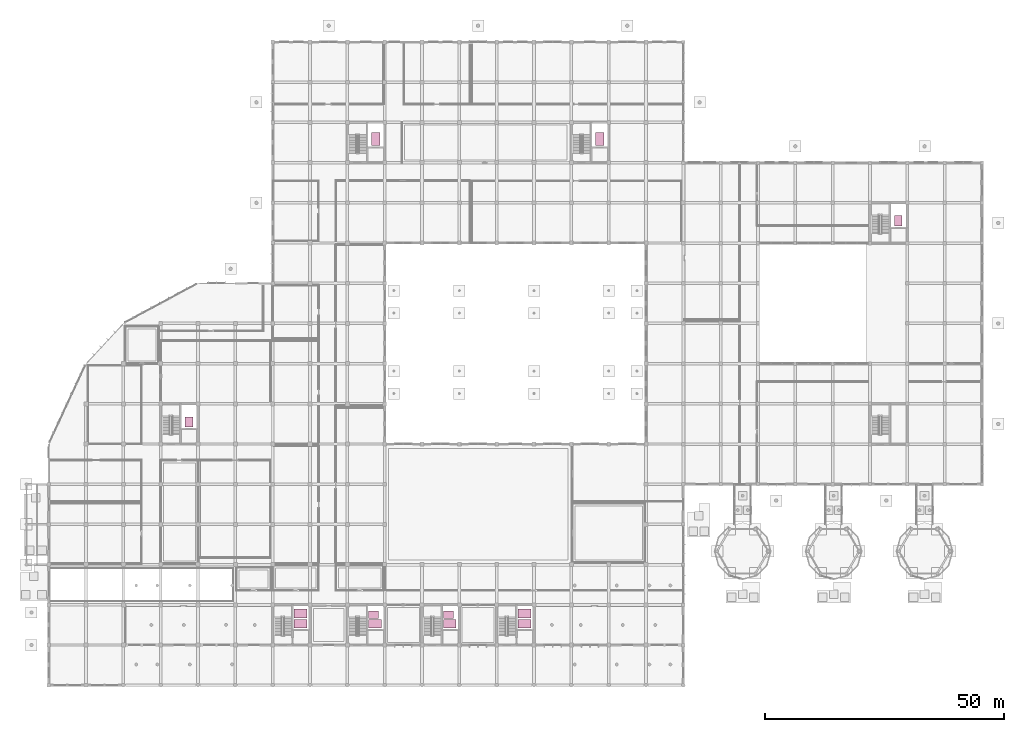
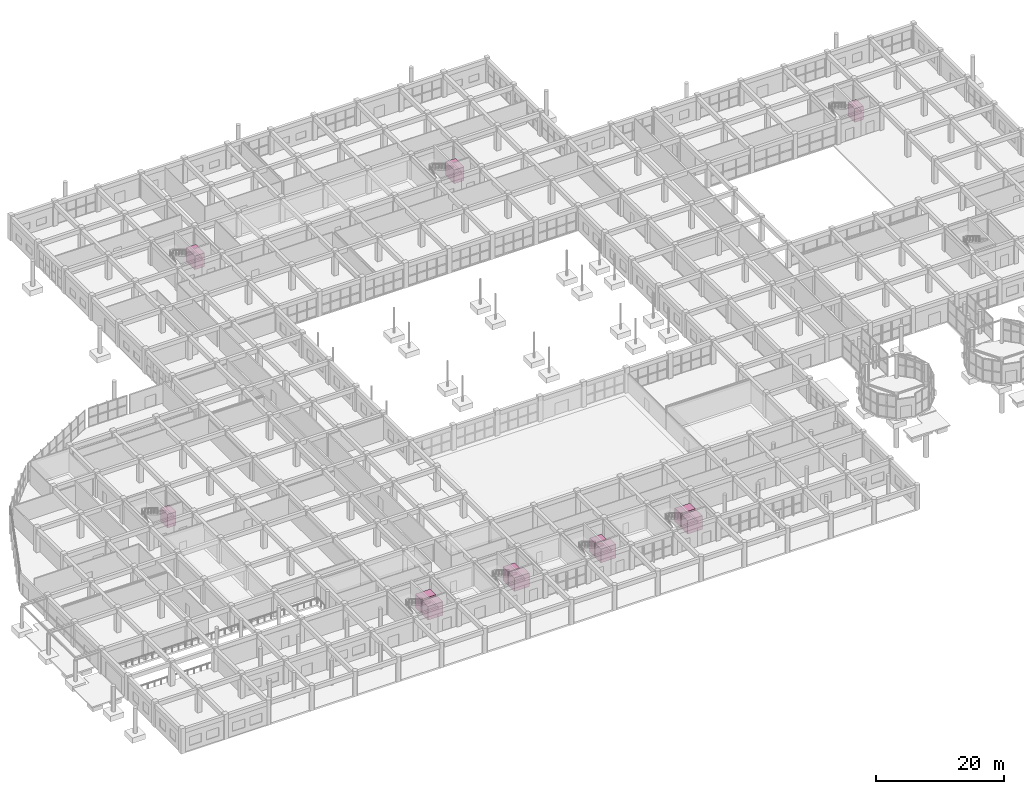
# One storey, part 139 of 139: 12 transport elements.
"""IFC4 building model written with IfcOpenShell, lengths in metres."""

from ifc_helpers import new_model, si_unit, direction, frame, origin, origin_2d, place, context, subcontext, project, spatial, rectangle, extrude, material, type_object, element, save


model = new_model("IFC4")

# Units and contexts
model_context = context("Model", 3, precision=1e-05, world=origin(), true_north=direction((0.0, 1.0)))
body_context = subcontext(model_context, "Body", "Model", "MODEL_VIEW")
ifc_project = project(units=[si_unit("LENGTHUNIT", "METRE"), si_unit("AREAUNIT", "SQUARE_METRE"), si_unit("VOLUMEUNIT", "CUBIC_METRE"), si_unit("PLANEANGLEUNIT", "RADIAN"), si_unit("MASSUNIT", "GRAM", prefix="KILO")], contexts=[model_context])

# Site, building, storey
site_placement = place(None, origin())
site = spatial("IfcSite", under=ifc_project, at=site_placement, CompositionType="ELEMENT")
building_placement = place(site_placement, origin())
building = spatial("IfcBuilding", under=site, at=building_placement, Name="Zizhar Promenade General Hospital", CompositionType="ELEMENT")
storey_placement = place(building_placement, origin())
storey = spatial("IfcBuildingStorey", under=building, at=storey_placement, Name="L00", CompositionType="ELEMENT", Elevation=0.0)

# Transport elements
ifc_material_1 = material(Name="Anodised aluminium 6063-T6", Category="aluminium")
transport_element_type_1 = type_object("IfcTransportElementType", Name="LFT-BED-1800x2700", PredefinedType="ELEVATOR", material=ifc_material_1)
for number, where, z_axis, x_axis, name in (
    (1, (52.60009765625, 15.0, 0.0), (0.0, 0.0, 1.0), (1.0, 0.0, 0.0), "Hospital Lift LB-01"),
    (2, (68.199951171875, 12.85009765625, 0.0), (0.0, 0.0, 1.0), (1.0, 0.0, 0.0), "Hospital Lift LB-02"),
    (3, (83.800048828125, 12.85009765625, 0.0), (0.0, 0.0, 1.0), (1.0, 0.0, 0.0), "Hospital Lift LB-03"),
    (4, (99.39990234375, 15.0, 0.0), (0.0, 0.0, 1.0), (1.0, 0.0, 0.0), "Hospital Lift LB-04"),
):
    element("IfcTransportElement", number, at=place(storey_placement, frame(where, z_axis=z_axis, x_axis=x_axis)), inside=storey, type_object=transport_element_type_1, Name=name, PredefinedType="ELEVATOR", context=body_context, shape_type="SweptSolid", body=[
        extrude(rectangle(XDim=2.699951171875, YDim=1.800048828125, at=origin_2d()), origin(), (0.0, 0.0, 1.0), 2.60009765625),
    ])
ifc_material_2 = material(Name="Anodised aluminium 6063-T6", Category="aluminium")
transport_element_type_2 = type_object("IfcTransportElementType", Name="LFT-FF-1800x2700", PredefinedType="ELEVATOR", material=ifc_material_2)
for number, where, z_axis, x_axis, name in (
    (5, (52.60009765625, 12.85009765625, 0.0), (0.0, 0.0, 1.0), (1.0, 0.0, 0.0), "Hospital Lift LF-01"),
    (6, (99.39990234375, 12.85009765625, 0.0), (0.0, 0.0, 1.0), (1.0, 0.0, 0.0), "Hospital Lift LF-02"),
):
    element("IfcTransportElement", number, at=place(storey_placement, frame(where, z_axis=z_axis, x_axis=x_axis)), inside=storey, type_object=transport_element_type_2, Name=name, PredefinedType="ELEVATOR", context=body_context, shape_type="SweptSolid", body=[
        extrude(rectangle(XDim=2.699951171875, YDim=1.800048828125, at=origin_2d()), origin(), (0.0, 0.0, 1.0), 2.60009765625),
    ])
ifc_material_3 = material(Name="Anodised aluminium 6063-T6", Category="aluminium")
transport_element_type_3 = type_object("IfcTransportElementType", Name="LFT-GDS-1800x2700", PredefinedType="ELEVATOR", material=ifc_material_3)
for number, where, z_axis, x_axis, name in (
    (7, (68.324951171875, 114.14990234375, 0.0), (0.0, 0.0, 1.0), (1.0, 0.0, 0.0), "Hospital Lift LG-01"),
    (8, (115.125, 114.14990234375, 0.0), (0.0, 0.0, 1.0), (1.0, 0.0, 0.0), "Hospital Lift LG-02"),
):
    element("IfcTransportElement", number, at=place(storey_placement, frame(where, z_axis=z_axis, x_axis=x_axis)), inside=storey, type_object=transport_element_type_3, Name=name, PredefinedType="ELEVATOR", context=body_context, shape_type="SweptSolid", body=[
        extrude(rectangle(XDim=1.800048828125, YDim=2.699951171875, at=origin_2d()), origin(), (0.0, 0.0, 1.0), 2.60009765625),
    ])
ifc_material_4 = material(Name="Anodised aluminium 6063-T6", Category="aluminium")
transport_element_type_4 = type_object("IfcTransportElementType", Name="LFT-PAX-1600x2100", PredefinedType="ELEVATOR", material=ifc_material_4)
transport_element_1_placement = place(storey_placement, frame((29.324951171875, 55.050048828125, 0.0), z_axis=(0.0, 0.0, 1.0), x_axis=(1.0, 0.0, 0.0)))
element("IfcTransportElement", 9, at=transport_element_1_placement, inside=storey, type_object=transport_element_type_4, Name="Hospital Lift LP-01", PredefinedType="ELEVATOR", context=body_context, shape_type="SweptSolid", body=[
    extrude(rectangle(XDim=1.60009765625, YDim=2.10009765625, at=origin_2d()), origin(), (0.0, 0.0, 1.0), 2.60009765625),
])
for number, where, z_axis, x_axis, name in (
    (10, (67.89990234375, 14.699951171875, 0.0), (0.0, 0.0, 1.0), (1.0, 0.0, 0.0), "Hospital Lift LP-02"),
    (11, (83.5, 14.699951171875, 0.0), (0.0, 0.0, 1.0), (1.0, 0.0, 0.0), "Hospital Lift LP-03"),
):
    element("IfcTransportElement", number, at=place(storey_placement, frame(where, z_axis=z_axis, x_axis=x_axis)), inside=storey, type_object=transport_element_type_4, Name=name, PredefinedType="ELEVATOR", context=body_context, shape_type="SweptSolid", body=[
        extrude(rectangle(XDim=2.10009765625, YDim=1.60009765625, at=origin_2d()), origin(), (0.0, 0.0, 1.0), 2.60009765625),
    ])
transport_element_2_placement = place(storey_placement, frame((177.52490234375, 97.050048828125, 0.0), z_axis=(0.0, 0.0, 1.0), x_axis=(1.0, 0.0, 0.0)))
element("IfcTransportElement", 12, at=transport_element_2_placement, inside=storey, type_object=transport_element_type_4, Name="Hospital Lift LP-04", PredefinedType="ELEVATOR", context=body_context, shape_type="SweptSolid", body=[
    extrude(rectangle(XDim=1.60009765625, YDim=2.10009765625, at=origin_2d()), origin(), (0.0, 0.0, 1.0), 2.60009765625),
])

save(model, "model.ifc")
